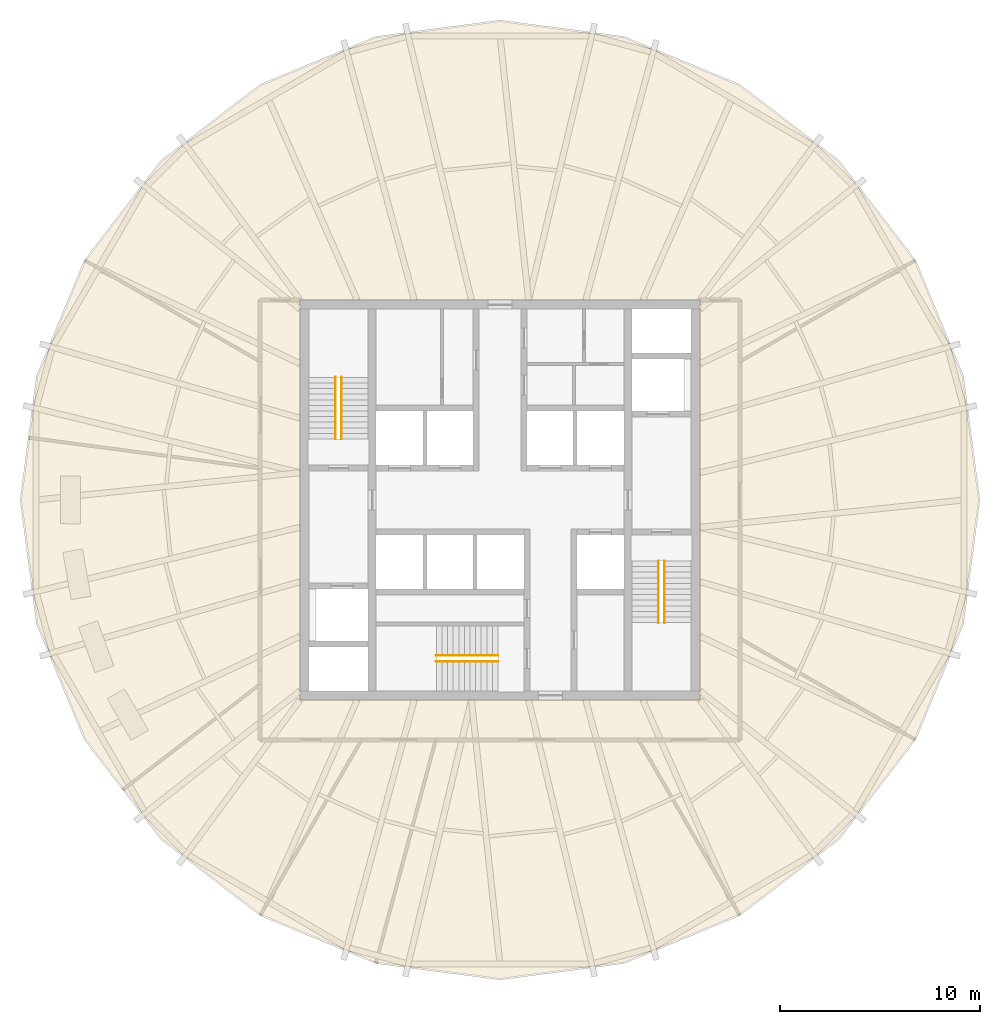
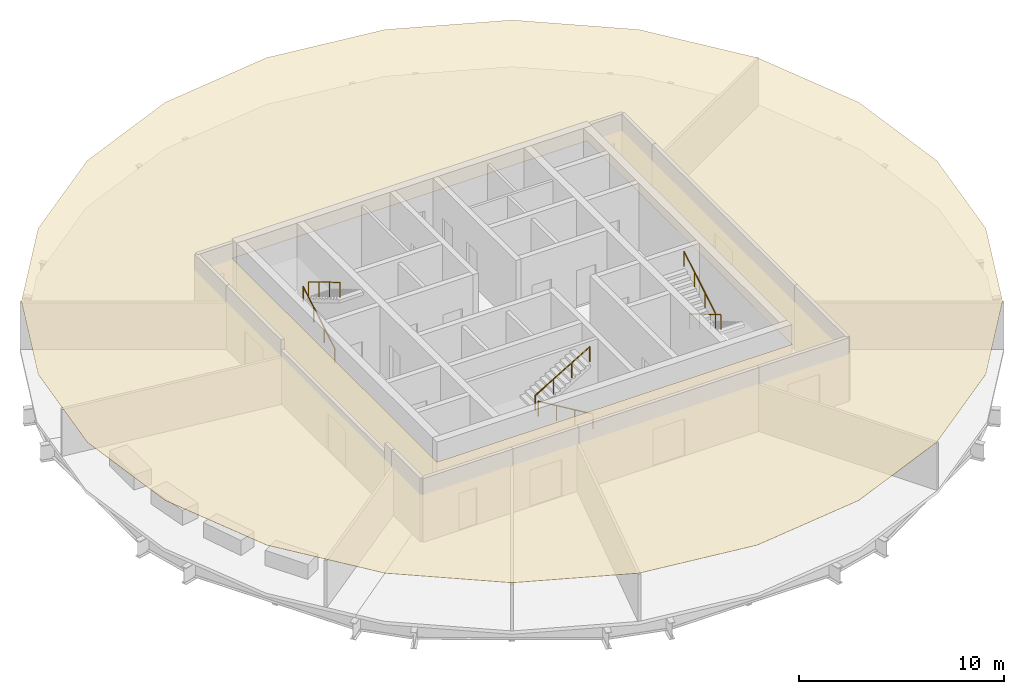
# One storey, part 6 of 7: 6 railings, 1 covering.
"""IFC4 building model written with IfcOpenShell, lengths in metres."""

from ifc_helpers import new_model, si_unit, direction, frame, origin, origin_2d, place, context, subcontext, project, spatial, polyline, circle, outline, extrude, material, layer, layer_set, type_object, element, save


model = new_model("IFC4")

# Units and contexts
model_context = context("Model", 3, precision=1e-05, world=origin(), true_north=direction((0.0, 1.0)))
body_context = subcontext(model_context, "Body", "Model", "MODEL_VIEW")
ifc_project = project(units=[si_unit("LENGTHUNIT", "METRE"), si_unit("AREAUNIT", "SQUARE_METRE"), si_unit("VOLUMEUNIT", "CUBIC_METRE"), si_unit("PLANEANGLEUNIT", "RADIAN"), si_unit("MASSUNIT", "GRAM", prefix="KILO")], contexts=[model_context])

# Site, building, storey
site_placement = place(None, origin())
site = spatial("IfcSite", under=ifc_project, at=site_placement, CompositionType="ELEMENT")
building_placement = place(site_placement, origin())
building = spatial("IfcBuilding", under=site, at=building_placement, Name="Golbaran Civic Tower", CompositionType="ELEMENT")
storey_placement = place(building_placement, frame((0.0, 0.0, 171.0)))
storey = spatial("IfcBuildingStorey", under=building, at=storey_placement, Name="L41", CompositionType="ELEMENT", Elevation=171.0)

# Railings
ifc_material_1 = material(Name="Stainless steel", Category="steel")
railing_type = type_object("IfcRailingType", Name="STAIR HANDRAIL 900", PredefinedType="HANDRAIL", material=ifc_material_1)
railing_1_placement = place(storey_placement, frame((-8.22509765625, 3.050048828125, 0.166748046875)))
element("IfcRailing", 1, at=railing_1_placement, inside=storey, type_object=railing_type, Name="Stair S1 handrail flight 1 L41", PredefinedType="HANDRAIL", context=body_context, shape_type="SweptSolid", body=[
    extrude(circle(Radius=0.02392578125, at=origin_2d()), frame((0.0, 0.0, 0.8759765625), z_axis=(0.0, 0.859290745958, 0.51148745235), x_axis=(-1.0, 0.0, 0.0)), (0.0, 0.0, 1.0), 3.584228515625),
    extrude(circle(Radius=0.02099609375, at=origin_2d()), origin(), (0.0, 0.0, 1.0), 0.851806640625),
    extrude(circle(Radius=0.02099609375, at=origin_2d()), frame((0.0, 1.026611328125, 0.611083984375)), (0.0, 0.0, 1.0), 0.851806640625),
    extrude(circle(Radius=0.02099609375, at=origin_2d()), frame((0.0, 2.05322265625, 1.22216796875)), (0.0, 0.0, 1.0), 0.851806640625),
    extrude(circle(Radius=0.02099609375, at=origin_2d()), frame((0.0, 3.079833984375, 1.833251953125)), (0.0, 0.0, 1.0), 0.851806640625),
])
for number, where, name in (
    (2, (-7.925048828125, 6.1298828125, 2.166748046875), "Stair S1 handrail flight 2 L41"),
    (3, (8.22509765625, -3.050048828125, 0.166748046875), "Stair S2 handrail flight 1 L41"),
):
    element("IfcRailing", number, at=place(storey_placement, frame(where)), inside=storey, type_object=railing_type, Name=name, PredefinedType="HANDRAIL", context=body_context, shape_type="SweptSolid", body=[
        extrude(circle(Radius=0.02392578125, at=origin_2d()), frame((0.0, 0.0, 0.8759765625), z_axis=(0.0, -0.859290745958, 0.51148745235), x_axis=(1.0, 0.0, 0.0)), (0.0, 0.0, 1.0), 3.584228515625),
        extrude(circle(Radius=0.02099609375, at=origin_2d()), origin(), (0.0, 0.0, 1.0), 0.851806640625),
        extrude(circle(Radius=0.02099609375, at=origin_2d()), frame((0.0, -1.026611328125, 0.611083984375)), (0.0, 0.0, 1.0), 0.851806640625),
        extrude(circle(Radius=0.02099609375, at=origin_2d()), frame((0.0, -2.05322265625, 1.22216796875)), (0.0, 0.0, 1.0), 0.851806640625),
        extrude(circle(Radius=0.02099609375, at=origin_2d()), frame((0.0, -3.079833984375, 1.833251953125)), (0.0, 0.0, 1.0), 0.851806640625),
    ])
railing_2_placement = place(storey_placement, frame((7.925048828125, -6.1298828125, 2.166748046875)))
element("IfcRailing", 4, at=railing_2_placement, inside=storey, type_object=railing_type, Name="Stair S2 handrail flight 2 L41", PredefinedType="HANDRAIL", context=body_context, shape_type="SweptSolid", body=[
    extrude(circle(Radius=0.02392578125, at=origin_2d()), frame((0.0, 0.0, 0.8759765625), z_axis=(0.0, 0.859290745958, 0.51148745235), x_axis=(-1.0, 0.0, 0.0)), (0.0, 0.0, 1.0), 3.584228515625),
    extrude(circle(Radius=0.02099609375, at=origin_2d()), origin(), (0.0, 0.0, 1.0), 0.851806640625),
    extrude(circle(Radius=0.02099609375, at=origin_2d()), frame((0.0, 1.026611328125, 0.611083984375)), (0.0, 0.0, 1.0), 0.851806640625),
    extrude(circle(Radius=0.02099609375, at=origin_2d()), frame((0.0, 2.05322265625, 1.22216796875)), (0.0, 0.0, 1.0), 0.851806640625),
    extrude(circle(Radius=0.02099609375, at=origin_2d()), frame((0.0, 3.079833984375, 1.833251953125)), (0.0, 0.0, 1.0), 0.851806640625),
])
railing_3_placement = place(storey_placement, frame((-0.10009765625, -8.074951171875, 0.166748046875)))
element("IfcRailing", 5, at=railing_3_placement, inside=storey, type_object=railing_type, Name="Stair S3 handrail flight 1 L41", PredefinedType="HANDRAIL", context=body_context, shape_type="SweptSolid", body=[
    extrude(circle(Radius=0.02392578125, at=origin_2d()), frame((0.0, 0.0, 0.8759765625), z_axis=(-0.859290745958, 0.0, 0.51148745235), x_axis=(0.0, -1.0, 0.0)), (0.0, 0.0, 1.0), 3.584228515625),
    extrude(circle(Radius=0.02099609375, at=origin_2d()), origin(), (0.0, 0.0, 1.0), 0.851806640625),
    extrude(circle(Radius=0.02099609375, at=origin_2d()), frame((-1.026611328125, 0.0, 0.611083984375)), (0.0, 0.0, 1.0), 0.851806640625),
    extrude(circle(Radius=0.02099609375, at=origin_2d()), frame((-2.05322265625, 0.0, 1.22216796875)), (0.0, 0.0, 1.0), 0.851806640625),
    extrude(circle(Radius=0.02099609375, at=origin_2d()), frame((-3.079833984375, 0.0, 1.833251953125)), (0.0, 0.0, 1.0), 0.851806640625),
])
railing_4_placement = place(storey_placement, frame((-3.179931640625, -7.77490234375, 2.166748046875)))
element("IfcRailing", 6, at=railing_4_placement, inside=storey, type_object=railing_type, Name="Stair S3 handrail flight 2 L41", PredefinedType="HANDRAIL", context=body_context, shape_type="SweptSolid", body=[
    extrude(circle(Radius=0.02392578125, at=origin_2d()), frame((0.0, 0.0, 0.8759765625), z_axis=(0.859290745958, 0.0, 0.51148745235), x_axis=(0.0, 1.0, 0.0)), (0.0, 0.0, 1.0), 3.584228515625),
    extrude(circle(Radius=0.02099609375, at=origin_2d()), origin(), (0.0, 0.0, 1.0), 0.851806640625),
    extrude(circle(Radius=0.02099609375, at=origin_2d()), frame((1.026611328125, 0.0, 0.611083984375)), (0.0, 0.0, 1.0), 0.851806640625),
    extrude(circle(Radius=0.02099609375, at=origin_2d()), frame((2.05322265625, 0.0, 1.22216796875)), (0.0, 0.0, 1.0), 0.851806640625),
    extrude(circle(Radius=0.02099609375, at=origin_2d()), frame((3.079833984375, 0.0, 1.833251953125)), (0.0, 0.0, 1.0), 0.851806640625),
])

# Covering
ifc_material_2 = material(Name="Mineral fibre tile on steel grid", Category="steel")
ifc_layer = layer(ifc_material_2, 0.02001953125, Name="Mineral fibre tile on steel grid")
ifc_layer_set = layer_set([ifc_layer], Name="Mineral fibre tile on steel grid")
covering_type = type_object("IfcCoveringType", Name="SUSPENDED CEILING 600 TILE 20", PredefinedType="CEILING", material=ifc_layer_set)
covering_placement = place(storey_placement, frame((0.0, 0.0, 2.800048828125)))
element("IfcCovering", 7, at=covering_placement, inside=storey, type_object=covering_type, Name="Suspended ceiling L41", PredefinedType="CEILING", context=body_context, shape_type="SweptSolid", body=[
    extrude(outline(polyline([(-6.1943359375, 23.117431640625), (0.0, 23.93310546875), (6.1943359375, 23.117431640625), (11.966552734375, 20.7265625), (16.923095703125, 16.923095703125), (20.7265625, 11.966552734375), (23.117431640625, 6.1943359375), (23.93310546875, 0.0), (23.117431640625, -6.1943359375), (20.7265625, -11.966552734375), (16.923095703125, -16.923095703125), (11.966552734375, -20.7265625), (6.1943359375, -23.117431640625), (0.0, -23.93310546875), (-6.1943359375, -23.117431640625), (-11.966552734375, -20.7265625), (-16.923095703125, -16.923095703125), (-20.7265625, -11.966552734375), (-23.117431640625, -6.1943359375), (-23.93310546875, 0.0), (-23.117431640625, 6.1943359375), (-20.7265625, 11.966552734375), (-16.923095703125, 16.923095703125), (-11.966552734375, 20.7265625), (-6.1943359375, 23.117431640625)]), holes=[polyline([(-10.0, -10.0), (10.0, -10.0), (10.0, 10.0), (-10.0, 10.0), (-10.0, -10.0)])]), origin(), (0.0, 0.0, 1.0), 0.02001953125),
])

save(model, "model.ifc")
